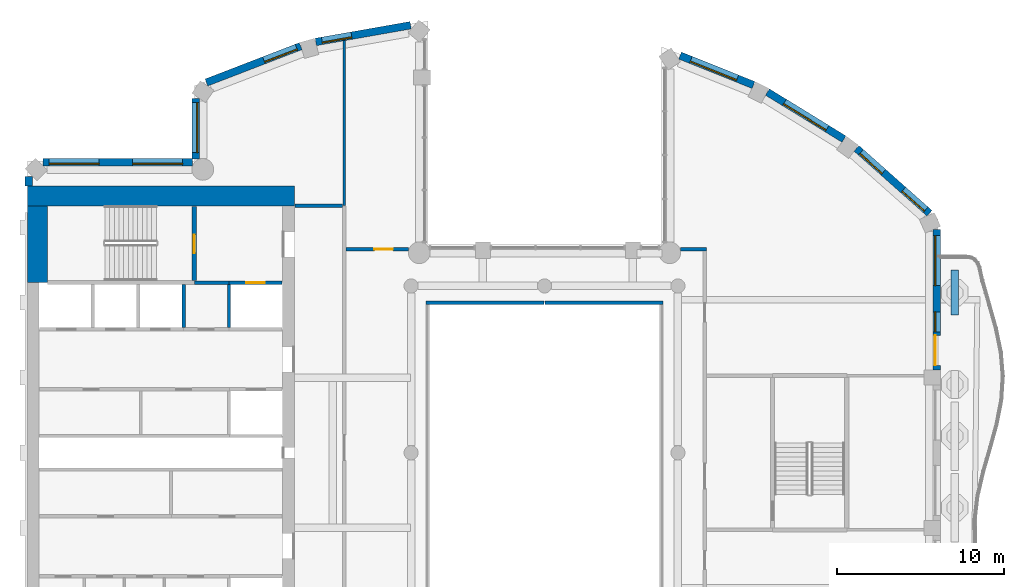
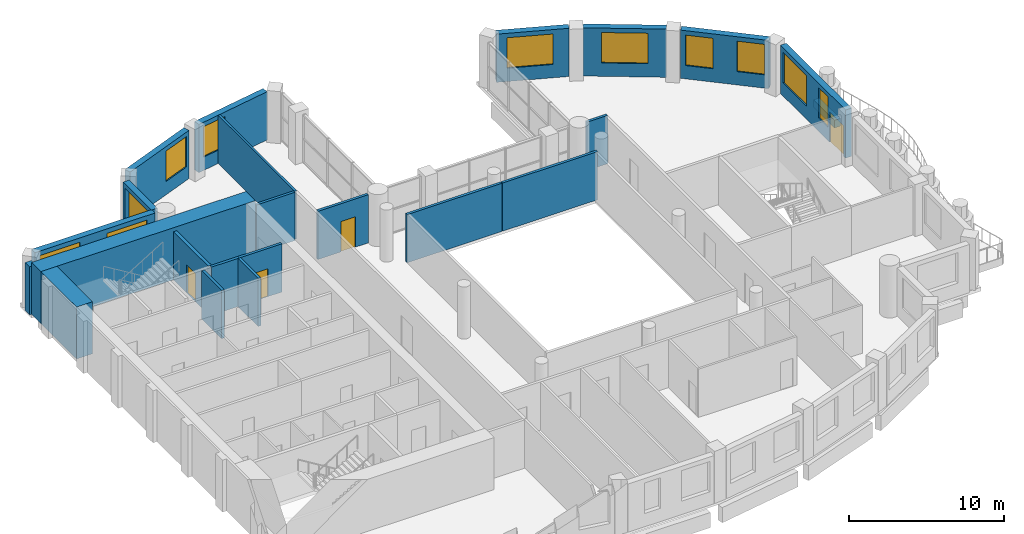
# One storey, part 7 of 14: 23 walls, 11 windows, 4 doors, 15 openings.
"""IFC4 building model written with IfcOpenShell, lengths in metres."""

from ifc_helpers import new_model, si_unit, direction, frame, frame_2d, origin, place, context, subcontext, project, spatial, rectangle, extrude, material, layer, layer_set, type_object, element, fill, save


model = new_model("IFC4")

# Units and contexts
model_context = context("Model", 3, precision=1e-05, world=origin(), true_north=direction((0.0, 1.0)))
body_context = subcontext(model_context, "Body", "Model", "MODEL_VIEW")
ifc_project = project(units=[si_unit("LENGTHUNIT", "METRE"), si_unit("AREAUNIT", "SQUARE_METRE"), si_unit("VOLUMEUNIT", "CUBIC_METRE"), si_unit("PLANEANGLEUNIT", "RADIAN"), si_unit("MASSUNIT", "GRAM", prefix="KILO")], contexts=[model_context])

# Site, building, storey
site_placement = place(None, origin())
site = spatial("IfcSite", under=ifc_project, at=site_placement, CompositionType="ELEMENT")
building_placement = place(site_placement, origin())
building = spatial("IfcBuilding", under=site, at=building_placement, Name="Cypress Arch Tower", CompositionType="ELEMENT")
storey_placement = place(building_placement, frame((0.0, 0.0, 251.60009765625)))
storey = spatial("IfcBuildingStorey", under=building, at=storey_placement, Name="L56", CompositionType="ELEMENT", Elevation=251.60009765625)

# Wall
ifc_material_1 = material(Name="Concrete C40/50, waterproofed", Category="concrete")
ifc_layer_1 = layer(ifc_material_1, 0.449951171875)
ifc_layer_set_1 = layer_set([ifc_layer_1], Name="Balcony planter wall PW450")
wall_type_1 = type_object("IfcWallType", Name="Balcony planter wall PW450", PredefinedType="SOLIDWALL", material=ifc_layer_set_1)
wall_1_placement = place(storey_placement, frame((25.60009765625, 8.25, 0.0), z_axis=(0.0, 0.0, 1.0), x_axis=(0.0, 1.0, 0.0)))
element("IfcWall", 1, at=wall_1_placement, inside=storey, type_object=wall_type_1, Name="Balcony planter wall L56-C17.5", PredefinedType="SOLIDWALL", context=body_context, shape_type="SweptSolid", body=[
    extrude(rectangle(XDim=2.699951171875, YDim=0.449951171875, at=frame_2d((1.35009765625, 0.0))), origin(), (0.0, 0.0, 1.0), 0.599853515625),
])

# Wall, opening, window
ifc_material_2 = material(Name="Brick (red buff blend)", Category="masonry")
ifc_layer_2 = layer(ifc_material_2, 0.449951171875)
ifc_layer_set_2 = layer_set([ifc_layer_2], Name="Brick pier and spandrel wall BW450")
wall_type_2 = type_object("IfcWallType", Name="Brick pier and spandrel wall BW450", PredefinedType="SOLIDWALL", material=ifc_layer_set_2)
wall_2_placement = place(storey_placement, frame((-7.028564453125, 25.63232421875, 0.0), z_axis=(0.0, 0.0, 1.0), x_axis=(-0.984797606634, -0.173705710808, 0.0)))
wall_2 = element("IfcWall", 2, at=wall_2_placement, inside=storey, type_object=wall_type_2, Name="Brick wall L56 C03.0", PredefinedType="SOLIDWALL", context=body_context, shape_type="SweptSolid", body=[
    extrude(rectangle(XDim=5.772216796875, YDim=0.449951171875, at=frame_2d((2.88623046875, 0.0))), origin(), (0.0, 0.0, 1.0), 3.7998046875),
])
opening_1_placement = place(wall_2_placement, frame((3.59326171875, 0.0, 1.050048828125)))
opening_1 = element("IfcOpeningElement", 3, at=opening_1_placement, cuts=wall_2, Name="Opening W180O", PredefinedType="OPENING", context=body_context, shape_type="SweptSolid", body=[
    extrude(rectangle(XDim=1.800048828125, YDim=2.39990234375, at=frame_2d((0.89990234375, 1.199951171875))), frame((0.0, 0.23486328125, 0.0), z_axis=(0.0, -1.0, 0.0), x_axis=(1.0, 0.0, 0.0)), (0.0, 0.0, 1.0), 0.469970703125),
])
ifc_material_3 = material(Name="Anodised aluminium, bronze finish, clear low-emissivity double glazing", Category="aluminium")
window_type_1 = type_object("IfcWindowType", Name="Window Office 1800x2400", PartitioningType="SINGLE_PANEL", PredefinedType="WINDOW", material=ifc_material_3)
window_1_placement = place(opening_1_placement, origin())
window_1 = element("IfcWindow", 4, at=window_1_placement, inside=storey, type_object=window_type_1, Name="Window L56 C03.0.2", OverallHeight=2.39990234375, OverallWidth=1.800048828125, PartitioningType="SINGLE_PANEL", PredefinedType="WINDOW", context=body_context, shape_type="SweptSolid", body=[
    extrude(rectangle(XDim=1.800048828125, YDim=2.39990234375, at=frame_2d((0.89990234375, 1.199951171875))), frame((0.0, 0.135009765625, 0.0), z_axis=(0.0, -1.0, 0.0), x_axis=(1.0, 0.0, 0.0)), (0.0, 0.0, 1.0), 0.06005859375),
])
fill(opening_1, window_1)

wall_3_placement = place(storey_placement, frame((-13.6220703125, 24.376953125, 0.0), z_axis=(0.0, 0.0, 1.0), x_axis=(-0.933129259679, -0.359541075164, 0.0)))
wall_3 = element("IfcWall", 5, at=wall_3_placement, inside=storey, type_object=wall_type_2, Name="Brick wall L56 C04.0", PredefinedType="SOLIDWALL", context=body_context, shape_type="SweptSolid", body=[
    extrude(rectangle(XDim=6.05419921875, YDim=0.449951171875, at=frame_2d((3.027099609375, 0.0))), origin(), (0.0, 0.0, 1.0), 3.7998046875),
])
opening_2_placement = place(wall_3_placement, frame((0.260986328125, 0.0, 1.050048828125)))
opening_2 = element("IfcOpeningElement", 6, at=opening_2_placement, cuts=wall_3, Name="Opening W210O", PredefinedType="OPENING", context=body_context, shape_type="SweptSolid", body=[
    extrude(rectangle(XDim=2.10009765625, YDim=2.39990234375, at=frame_2d((1.050048828125, 1.199951171875))), frame((0.0, 0.23486328125, 0.0), z_axis=(0.0, -1.0, 0.0), x_axis=(1.0, 0.0, 0.0)), (0.0, 0.0, 1.0), 0.469970703125),
])
ifc_material_4 = material(Name="Anodised aluminium, bronze finish, clear low-emissivity double glazing", Category="aluminium")
window_type_2 = type_object("IfcWindowType", Name="Window Office 2100x2400", PartitioningType="SINGLE_PANEL", PredefinedType="WINDOW", material=ifc_material_4)
window_2_placement = place(opening_2_placement, origin())
window_2 = element("IfcWindow", 7, at=window_2_placement, inside=storey, type_object=window_type_2, Name="Window L56 C04.0.1", OverallHeight=2.39990234375, OverallWidth=2.10009765625, PartitioningType="SINGLE_PANEL", PredefinedType="WINDOW", context=body_context, shape_type="SweptSolid", body=[
    extrude(rectangle(XDim=2.10009765625, YDim=2.39990234375, at=frame_2d((1.050048828125, 1.199951171875))), frame((0.0, 0.135009765625, 0.0), z_axis=(0.0, -1.0, 0.0), x_axis=(1.0, 0.0, 0.0)), (0.0, 0.0, 1.0), 0.06005859375),
])
fill(opening_2, window_2)

wall_4_placement = place(storey_placement, frame((-19.925048828125, 21.248291015625, 0.0), z_axis=(0.0, 0.0, 1.0), x_axis=(0.0, -1.0, 0.0)))
wall_4 = element("IfcWall", 8, at=wall_4_placement, inside=storey, type_object=wall_type_2, Name="Brick wall L56 C05.0", PredefinedType="SOLIDWALL", context=body_context, shape_type="SweptSolid", body=[
    extrude(rectangle(XDim=3.646728515625, YDim=0.449951171875, at=frame_2d((1.8232421875, 0.0))), origin(), (0.0, 0.0, 1.0), 3.7998046875),
])
opening_3_placement = place(wall_4_placement, frame((0.251220703125, 0.0, 1.050048828125)))
opening_3 = element("IfcOpeningElement", 9, at=opening_3_placement, cuts=wall_4, Name="Opening W300O", PredefinedType="OPENING", context=body_context, shape_type="SweptSolid", body=[
    extrude(rectangle(XDim=3.0, YDim=2.39990234375, at=frame_2d((1.5, 1.199951171875))), frame((0.0, 0.23486328125, 0.0), z_axis=(0.0, -1.0, 0.0), x_axis=(1.0, 0.0, 0.0)), (0.0, 0.0, 1.0), 0.469970703125),
])
ifc_material_5 = material(Name="Anodised aluminium, bronze finish, clear low-emissivity double glazing", Category="aluminium")
window_type_3 = type_object("IfcWindowType", Name="Window Office 3000x2400", PartitioningType="SINGLE_PANEL", PredefinedType="WINDOW", material=ifc_material_5)
window_3_placement = place(opening_3_placement, origin())
window_3 = element("IfcWindow", 10, at=window_3_placement, inside=storey, type_object=window_type_3, Name="Window L56 C05.0.1", OverallHeight=2.39990234375, OverallWidth=3.0, PartitioningType="SINGLE_PANEL", PredefinedType="WINDOW", context=body_context, shape_type="SweptSolid", body=[
    extrude(rectangle(XDim=3.0, YDim=2.39990234375, at=frame_2d((1.5, 1.199951171875))), frame((0.0, 0.135009765625, 0.0), z_axis=(0.0, -1.0, 0.0), x_axis=(1.0, 0.0, 0.0)), (0.0, 0.0, 1.0), 0.06005859375),
])
fill(opening_3, window_3)

# Wall, openings, windows
wall_5_placement = place(storey_placement, frame((-20.1015625, 17.425048828125, 0.0), z_axis=(0.0, 0.0, 1.0), x_axis=(-1.0, 0.0, 0.0)))
wall_5 = element("IfcWall", 11, at=wall_5_placement, inside=storey, type_object=wall_type_2, Name="Brick wall L56 C06.0", PredefinedType="SOLIDWALL", context=body_context, shape_type="SweptSolid", body=[
    extrude(rectangle(XDim=8.962158203125, YDim=0.449951171875, at=frame_2d((4.48095703125, 0.0))), origin(), (0.0, 0.0, 1.0), 3.7998046875),
])
opening_4_placement = place(wall_5_placement, frame((0.598388671875, 0.0, 1.050048828125)))
opening_4 = element("IfcOpeningElement", 12, at=opening_4_placement, cuts=wall_5, Name="Opening W300O", PredefinedType="OPENING", context=body_context, shape_type="SweptSolid", body=[
    extrude(rectangle(XDim=3.0, YDim=2.39990234375, at=frame_2d((1.5, 1.199951171875))), frame((0.0, 0.23486328125, 0.0), z_axis=(0.0, -1.0, 0.0), x_axis=(1.0, 0.0, 0.0)), (0.0, 0.0, 1.0), 0.469970703125),
])
opening_5_placement = place(wall_5_placement, frame((5.598388671875, 0.0, 1.050048828125)))
opening_5 = element("IfcOpeningElement", 13, at=opening_5_placement, cuts=wall_5, Name="Opening W300O", PredefinedType="OPENING", context=body_context, shape_type="SweptSolid", body=[
    extrude(rectangle(XDim=3.0, YDim=2.39990234375, at=frame_2d((1.5, 1.199951171875))), frame((0.0, 0.23486328125, 0.0), z_axis=(0.0, -1.0, 0.0), x_axis=(1.0, 0.0, 0.0)), (0.0, 0.0, 1.0), 0.469970703125),
])
window_4_placement = place(opening_4_placement, origin())
window_4 = element("IfcWindow", 14, at=window_4_placement, inside=storey, type_object=window_type_3, Name="Window L56 C06.0.1", OverallHeight=2.39990234375, OverallWidth=3.0, PartitioningType="SINGLE_PANEL", PredefinedType="WINDOW", context=body_context, shape_type="SweptSolid", body=[
    extrude(rectangle(XDim=3.0, YDim=2.39990234375, at=frame_2d((1.5, 1.199951171875))), frame((0.0, 0.135009765625, 0.0), z_axis=(0.0, -1.0, 0.0), x_axis=(1.0, 0.0, 0.0)), (0.0, 0.0, 1.0), 0.06005859375),
])
fill(opening_4, window_4)
window_5_placement = place(opening_5_placement, origin())
window_5 = element("IfcWindow", 15, at=window_5_placement, inside=storey, type_object=window_type_3, Name="Window L56 C06.0.2", OverallHeight=2.39990234375, OverallWidth=3.0, PartitioningType="SINGLE_PANEL", PredefinedType="WINDOW", context=body_context, shape_type="SweptSolid", body=[
    extrude(rectangle(XDim=3.0, YDim=2.39990234375, at=frame_2d((1.5, 1.199951171875))), frame((0.0, 0.135009765625, 0.0), z_axis=(0.0, -1.0, 0.0), x_axis=(1.0, 0.0, 0.0)), (0.0, 0.0, 1.0), 0.06005859375),
])
fill(opening_5, window_5)

# Wall
wall_6_placement = place(storey_placement, frame((-29.925048828125, 16.563720703125, 0.0), z_axis=(0.0, 0.0, 1.0), x_axis=(0.0, -1.0, 0.0)))
element("IfcWall", 16, at=wall_6_placement, inside=storey, type_object=wall_type_2, Name="Brick wall L56 C07.0", PredefinedType="SOLIDWALL", context=body_context, shape_type="SweptSolid", body=[
    extrude(rectangle(XDim=0.563720703125, YDim=0.449951171875, at=frame_2d((0.28173828125, 0.0))), origin(), (0.0, 0.0, 1.0), 3.7998046875),
])

# Wall, openings, door, windows
wall_7_placement = place(storey_placement, frame((24.52490234375, 4.949951171875, 0.0), z_axis=(0.0, 0.0, 1.0), x_axis=(0.0, 1.0, 0.0)))
wall_7 = element("IfcWall", 17, at=wall_7_placement, inside=storey, type_object=wall_type_2, Name="Brick wall L56 C17.2", PredefinedType="SOLIDWALL", context=body_context, shape_type="SweptSolid", body=[
    extrude(rectangle(XDim=8.421875, YDim=0.449951171875, at=frame_2d((4.2109375, 0.0))), origin(), (0.0, 0.0, 1.0), 3.7998046875),
])
opening_6_placement = place(wall_7_placement, frame((0.291259765625, 0.0, 0.0)))
opening_6 = element("IfcOpeningElement", 18, at=opening_6_placement, cuts=wall_7, Name="Opening D-L56-C17.2.1", PredefinedType="OPENING", context=body_context, shape_type="SweptSolid", body=[
    extrude(rectangle(XDim=1.800048828125, YDim=2.39990234375, at=frame_2d((0.89990234375, 1.199951171875))), frame((0.0, 0.23486328125, 0.0), z_axis=(0.0, -1.0, 0.0), x_axis=(1.0, 0.0, 0.0)), (0.0, 0.0, 1.0), 0.469970703125),
])
opening_7_placement = place(wall_7_placement, frame((2.291259765625, 0.0, 1.050048828125)))
opening_7 = element("IfcOpeningElement", 19, at=opening_7_placement, cuts=wall_7, Name="Opening W120OD", PredefinedType="OPENING", context=body_context, shape_type="SweptSolid", body=[
    extrude(rectangle(XDim=1.199951171875, YDim=2.39990234375, at=frame_2d((0.60009765625, 1.199951171875))), frame((0.0, 0.23486328125, 0.0), z_axis=(0.0, -1.0, 0.0), x_axis=(1.0, 0.0, 0.0)), (0.0, 0.0, 1.0), 0.469970703125),
])
opening_8_placement = place(wall_7_placement, frame((5.073974609375, 0.0, 1.050048828125)))
opening_8 = element("IfcOpeningElement", 20, at=opening_8_placement, cuts=wall_7, Name="Opening W300OD", PredefinedType="OPENING", context=body_context, shape_type="SweptSolid", body=[
    extrude(rectangle(XDim=3.0, YDim=2.39990234375, at=frame_2d((1.5, 1.199951171875))), frame((0.0, 0.23486328125, 0.0), z_axis=(0.0, -1.0, 0.0), x_axis=(1.0, 0.0, 0.0)), (0.0, 0.0, 1.0), 0.469970703125),
])
ifc_material_6 = material(Name="Anodised aluminium, bronze finish, laminated low-emissivity double glazing, large-missile impact rated", Category="aluminium")
door_type_1 = type_object("IfcDoorType", Name="Balcony sliding door 1800x2400", OperationType="SLIDING_TO_LEFT", PredefinedType="DOOR", material=ifc_material_6)
door_1_placement = place(opening_6_placement, origin())
door_1 = element("IfcDoor", 21, at=door_1_placement, inside=storey, type_object=door_type_1, Name="Balcony door L56 C17.2.1", OperationType="SLIDING_TO_LEFT", OverallHeight=2.39990234375, OverallWidth=1.800048828125, PredefinedType="DOOR", context=body_context, shape_type="SweptSolid", body=[
    extrude(rectangle(XDim=1.800048828125, YDim=2.39990234375, at=frame_2d((0.89990234375, 1.199951171875))), frame((0.0, 0.1298828125, 0.0), z_axis=(0.0, -1.0, 0.0), x_axis=(1.0, 0.0, 0.0)), (0.0, 0.0, 1.0), 0.050048828125),
])
fill(opening_6, door_1)
ifc_material_7 = material(Name="Anodised aluminium, bronze finish, laminated low-emissivity double glazing, large-missile impact rated", Category="aluminium")
window_type_4 = type_object("IfcWindowType", Name="Window Office 1200x2400 debris-rated", PartitioningType="SINGLE_PANEL", PredefinedType="WINDOW", material=ifc_material_7)
window_6_placement = place(opening_7_placement, origin())
window_6 = element("IfcWindow", 22, at=window_6_placement, inside=storey, type_object=window_type_4, Name="Window L56 C17.2.1", OverallHeight=2.39990234375, OverallWidth=1.199951171875, PartitioningType="SINGLE_PANEL", PredefinedType="WINDOW", context=body_context, shape_type="SweptSolid", body=[
    extrude(rectangle(XDim=1.199951171875, YDim=2.39990234375, at=frame_2d((0.60009765625, 1.199951171875))), frame((0.0, 0.135009765625, 0.0), z_axis=(0.0, -1.0, 0.0), x_axis=(1.0, 0.0, 0.0)), (0.0, 0.0, 1.0), 0.06005859375),
])
fill(opening_7, window_6)
ifc_material_8 = material(Name="Anodised aluminium, bronze finish, laminated low-emissivity double glazing, large-missile impact rated", Category="aluminium")
window_type_5 = type_object("IfcWindowType", Name="Window Office 3000x2400 debris-rated", PartitioningType="SINGLE_PANEL", PredefinedType="WINDOW", material=ifc_material_8)
window_7_placement = place(opening_8_placement, origin())
window_7 = element("IfcWindow", 23, at=window_7_placement, inside=storey, type_object=window_type_5, Name="Window L56 C17.2.2", OverallHeight=2.39990234375, OverallWidth=3.0, PartitioningType="SINGLE_PANEL", PredefinedType="WINDOW", context=body_context, shape_type="SweptSolid", body=[
    extrude(rectangle(XDim=3.0, YDim=2.39990234375, at=frame_2d((1.5, 1.199951171875))), frame((0.0, 0.135009765625, 0.0), z_axis=(0.0, -1.0, 0.0), x_axis=(1.0, 0.0, 0.0)), (0.0, 0.0, 1.0), 0.06005859375),
])
fill(opening_8, window_7)

# Wall, openings, windows
wall_8_placement = place(storey_placement, frame((24.08056640625, 14.361083984375, 0.0), z_axis=(0.0, 0.0, 1.0), x_axis=(-0.747570482973, 0.664182484704, 0.0)))
wall_8 = element("IfcWall", 24, at=wall_8_placement, inside=storey, type_object=wall_type_2, Name="Brick wall L56 C18.0", PredefinedType="SOLIDWALL", context=body_context, shape_type="SweptSolid", body=[
    extrude(rectangle(XDim=5.849609375, YDim=0.449951171875, at=frame_2d((2.9248046875, 0.0))), origin(), (0.0, 0.0, 1.0), 3.7998046875),
])
opening_9_placement = place(wall_8_placement, frame((0.305419921875, 0.0, 1.050048828125)))
opening_9 = element("IfcOpeningElement", 25, at=opening_9_placement, cuts=wall_8, Name="Opening W180O", PredefinedType="OPENING", context=body_context, shape_type="SweptSolid", body=[
    extrude(rectangle(XDim=1.800048828125, YDim=2.39990234375, at=frame_2d((0.89990234375, 1.199951171875))), frame((0.0, 0.23486328125, 0.0), z_axis=(0.0, -1.0, 0.0), x_axis=(1.0, 0.0, 0.0)), (0.0, 0.0, 1.0), 0.469970703125),
])
opening_10_placement = place(wall_8_placement, frame((3.702880859375, 0.0, 1.050048828125)))
opening_10 = element("IfcOpeningElement", 26, at=opening_10_placement, cuts=wall_8, Name="Opening W180O", PredefinedType="OPENING", context=body_context, shape_type="SweptSolid", body=[
    extrude(rectangle(XDim=1.800048828125, YDim=2.39990234375, at=frame_2d((0.89990234375, 1.199951171875))), frame((0.0, 0.23486328125, 0.0), z_axis=(0.0, -1.0, 0.0), x_axis=(1.0, 0.0, 0.0)), (0.0, 0.0, 1.0), 0.469970703125),
])
window_8_placement = place(opening_9_placement, origin())
window_8 = element("IfcWindow", 27, at=window_8_placement, inside=storey, type_object=window_type_1, Name="Window L56 C18.0.1", OverallHeight=2.39990234375, OverallWidth=1.800048828125, PartitioningType="SINGLE_PANEL", PredefinedType="WINDOW", context=body_context, shape_type="SweptSolid", body=[
    extrude(rectangle(XDim=1.800048828125, YDim=2.39990234375, at=frame_2d((0.89990234375, 1.199951171875))), frame((0.0, 0.135009765625, 0.0), z_axis=(0.0, -1.0, 0.0), x_axis=(1.0, 0.0, 0.0)), (0.0, 0.0, 1.0), 0.06005859375),
])
fill(opening_9, window_8)
window_9_placement = place(opening_10_placement, origin())
window_9 = element("IfcWindow", 28, at=window_9_placement, inside=storey, type_object=window_type_1, Name="Window L56 C18.0.2", OverallHeight=2.39990234375, OverallWidth=1.800048828125, PartitioningType="SINGLE_PANEL", PredefinedType="WINDOW", context=body_context, shape_type="SweptSolid", body=[
    extrude(rectangle(XDim=1.800048828125, YDim=2.39990234375, at=frame_2d((0.89990234375, 1.199951171875))), frame((0.0, 0.135009765625, 0.0), z_axis=(0.0, -1.0, 0.0), x_axis=(1.0, 0.0, 0.0)), (0.0, 0.0, 1.0), 0.06005859375),
])
fill(opening_10, window_9)

# Wall, opening, window
wall_9_placement = place(storey_placement, frame((18.953369140625, 18.806396484375, 0.0), z_axis=(0.0, 0.0, 1.0), x_axis=(-0.851860664503, 0.523768468193, 0.0)))
wall_9 = element("IfcWall", 29, at=wall_9_placement, inside=storey, type_object=wall_type_2, Name="Brick wall L56 C19.0", PredefinedType="SOLIDWALL", context=body_context, shape_type="SweptSolid", body=[
    extrude(rectangle(XDim=5.3837890625, YDim=0.449951171875, at=frame_2d((2.69189453125, 0.0))), origin(), (0.0, 0.0, 1.0), 3.7998046875),
])
opening_11_placement = place(wall_9_placement, frame((1.19189453125, 0.0, 1.050048828125)))
opening_11 = element("IfcOpeningElement", 30, at=opening_11_placement, cuts=wall_9, Name="Opening W300O", PredefinedType="OPENING", context=body_context, shape_type="SweptSolid", body=[
    extrude(rectangle(XDim=3.0, YDim=2.39990234375, at=frame_2d((1.5, 1.199951171875))), frame((0.0, 0.23486328125, 0.0), z_axis=(0.0, -1.0, 0.0), x_axis=(1.0, 0.0, 0.0)), (0.0, 0.0, 1.0), 0.469970703125),
])
window_10_placement = place(opening_11_placement, origin())
window_10 = element("IfcWindow", 31, at=window_10_placement, inside=storey, type_object=window_type_3, Name="Window L56 C19.0.1", OverallHeight=2.39990234375, OverallWidth=3.0, PartitioningType="SINGLE_PANEL", PredefinedType="WINDOW", context=body_context, shape_type="SweptSolid", body=[
    extrude(rectangle(XDim=3.0, YDim=2.39990234375, at=frame_2d((1.5, 1.199951171875))), frame((0.0, 0.135009765625, 0.0), z_axis=(0.0, -1.0, 0.0), x_axis=(1.0, 0.0, 0.0)), (0.0, 0.0, 1.0), 0.06005859375),
])
fill(opening_11, window_10)

wall_10_placement = place(storey_placement, frame((13.529296875, 22.04833984375, 0.0), z_axis=(0.0, 0.0, 1.0), x_axis=(-0.927957332619, 0.372686448424, 0.0)))
wall_10 = element("IfcWall", 32, at=wall_10_placement, inside=storey, type_object=wall_type_2, Name="Brick wall L56 C20.0", PredefinedType="SOLIDWALL", context=body_context, shape_type="SweptSolid", body=[
    extrude(rectangle(XDim=4.741455078125, YDim=0.449951171875, at=frame_2d((2.37060546875, 0.0))), origin(), (0.0, 0.0, 1.0), 3.7998046875),
])
opening_12_placement = place(wall_10_placement, frame((1.046630859375, 0.0, 1.050048828125)))
opening_12 = element("IfcOpeningElement", 33, at=opening_12_placement, cuts=wall_10, Name="Opening W300O", PredefinedType="OPENING", context=body_context, shape_type="SweptSolid", body=[
    extrude(rectangle(XDim=3.0, YDim=2.39990234375, at=frame_2d((1.5, 1.199951171875))), frame((0.0, 0.23486328125, 0.0), z_axis=(0.0, -1.0, 0.0), x_axis=(1.0, 0.0, 0.0)), (0.0, 0.0, 1.0), 0.469970703125),
])
window_11_placement = place(opening_12_placement, origin())
window_11 = element("IfcWindow", 34, at=window_11_placement, inside=storey, type_object=window_type_3, Name="Window L56 C20.0.1", OverallHeight=2.39990234375, OverallWidth=3.0, PartitioningType="SINGLE_PANEL", PredefinedType="WINDOW", context=body_context, shape_type="SweptSolid", body=[
    extrude(rectangle(XDim=3.0, YDim=2.39990234375, at=frame_2d((1.5, 1.199951171875))), frame((0.0, 0.135009765625, 0.0), z_axis=(0.0, -1.0, 0.0), x_axis=(1.0, 0.0, 0.0)), (0.0, 0.0, 1.0), 0.06005859375),
])
fill(opening_12, window_11)

# Walls
ifc_material_9 = material(Name="Concrete C60/75", Category="concrete")
ifc_layer_3 = layer(ifc_material_9, 1.199951171875)
ifc_layer_set_3 = layer_set([ifc_layer_3], Name="Core wall CW1200 C60/75")
wall_type_3 = type_object("IfcWallType", Name="Core wall CW1200 C60/75", PredefinedType="SHEAR", material=ifc_layer_set_3)
wall_11_placement = place(storey_placement, frame((-30.0, 15.39990234375, 0.0), z_axis=(0.0, 0.0, 1.0), x_axis=(1.0, 0.0, 0.0)))
element("IfcWall", 35, at=wall_11_placement, inside=storey, type_object=wall_type_3, Name="Core wall", PredefinedType="SHEAR", context=body_context, shape_type="SweptSolid", body=[
    extrude(rectangle(XDim=16.0, YDim=1.199951171875, at=frame_2d((8.0, 0.0))), origin(), (0.0, 0.0, 1.0), 4.099853515625),
])
wall_12_placement = place(storey_placement, frame((-29.39990234375, 10.199951171875, 0.0), z_axis=(0.0, 0.0, 1.0), x_axis=(0.0, 1.0, 0.0)))
element("IfcWall", 36, at=wall_12_placement, inside=storey, type_object=wall_type_3, Name="Core wall", PredefinedType="SHEAR", context=body_context, shape_type="SweptSolid", body=[
    extrude(rectangle(XDim=4.60009765625, YDim=1.199951171875, at=frame_2d((2.300048828125, 0.0))), origin(), (0.0, 0.0, 1.0), 4.099853515625),
])
ifc_material_10 = material(Name="Concrete blockwork, plastered, rated", Category="masonry")
ifc_layer_4 = layer(ifc_material_10, 0.199951171875)
ifc_layer_set_4 = layer_set([ifc_layer_4], Name="Corridor wall FW200")
wall_type_4 = type_object("IfcWallType", Name="Corridor wall FW200", PredefinedType="PARTITIONING", material=ifc_layer_set_4)
wall_13_placement = place(storey_placement, frame((-20.0, 10.199951171875, 0.0), z_axis=(0.0, 0.0, 1.0), x_axis=(1.0, 0.0, 0.0)))
element("IfcWall", 37, at=wall_13_placement, inside=storey, type_object=wall_type_4, Name="Corridor wall", PredefinedType="PARTITIONING", context=body_context, shape_type="SweptSolid", body=[
    extrude(rectangle(XDim=2.080078125, YDim=0.199951171875, at=frame_2d((1.0400390625, 0.0))), origin(), (0.0, 0.0, 1.0), 3.7998046875),
])
wall_14_placement = place(storey_placement, frame((-13.969970703125, 14.800048828125, 0.0), z_axis=(0.0, 0.0, 1.0), x_axis=(1.0, 0.0, 0.0)))
element("IfcWall", 38, at=wall_14_placement, inside=storey, type_object=wall_type_4, Name="Corridor wall", PredefinedType="PARTITIONING", context=body_context, shape_type="SweptSolid", body=[
    extrude(rectangle(XDim=2.869873046875, YDim=0.199951171875, at=frame_2d((1.43505859375, 0.0))), origin(), (0.0, 0.0, 1.0), 3.7998046875),
])

# Wall, opening, door
wall_15_placement = place(storey_placement, frame((-10.89990234375, 12.199951171875, 0.0), z_axis=(0.0, 0.0, 1.0), x_axis=(1.0, 0.0, 0.0)))
wall_15 = element("IfcWall", 39, at=wall_15_placement, inside=storey, type_object=wall_type_4, Name="Corridor wall", PredefinedType="PARTITIONING", context=body_context, shape_type="SweptSolid", body=[
    extrude(rectangle(XDim=3.756103515625, YDim=0.199951171875, at=frame_2d((1.8779296875, 0.0))), origin(), (0.0, 0.0, 1.0), 3.7998046875),
])
opening_13_placement = place(wall_15_placement, frame((1.699951171875, 0.0, 0.0)))
opening_13 = element("IfcOpeningElement", 40, at=opening_13_placement, cuts=wall_15, Name="Opening D01", PredefinedType="OPENING", context=body_context, shape_type="SweptSolid", body=[
    extrude(rectangle(XDim=1.10009765625, YDim=2.39990234375, at=frame_2d((0.550048828125, 1.199951171875))), frame((0.0, 0.10986328125, 0.0), z_axis=(0.0, -1.0, 0.0), x_axis=(1.0, 0.0, 0.0)), (0.0, 0.0, 1.0), 0.219970703125),
])
ifc_material_11 = material(Name="Timber flush door, fire resisting, self-closing", Category="wood")
door_type_2 = type_object("IfcDoorType", Name="Unit entrance door D01 1100x2400", OperationType="SINGLE_SWING_LEFT", PredefinedType="DOOR", material=ifc_material_11)
door_2_placement = place(opening_13_placement, origin())
door_2 = element("IfcDoor", 41, at=door_2_placement, inside=storey, type_object=door_type_2, Name="Unit entrance door", OperationType="SINGLE_SWING_RIGHT", OverallHeight=2.39990234375, OverallWidth=1.10009765625, PredefinedType="DOOR", context=body_context, shape_type="SweptSolid", body=[
    extrude(rectangle(XDim=1.10009765625, YDim=2.39990234375, at=frame_2d((0.550048828125, 1.199951171875))), frame((0.0, 0.02490234375, 0.0), z_axis=(0.0, -1.0, 0.0), x_axis=(1.0, 0.0, 0.0)), (0.0, 0.0, 1.0), 0.050048828125),
])
fill(opening_13, door_2)

# Walls
for number, where, z_axis, x_axis, name in (
    (42, (-6.10009765625, 9.0, 0.0), (0.0, 0.0, 1.0), (1.0, 0.0, 0.0), "Corridor wall"),
    (43, (1.02001953125, 9.0, 0.0), (0.0, 0.0, 1.0), (1.0, 0.0, 0.0), "Corridor wall"),
):
    element("IfcWall", number, at=place(storey_placement, frame(where, z_axis=z_axis, x_axis=x_axis)), inside=storey, type_object=wall_type_4, Name=name, PredefinedType="PARTITIONING", context=body_context, shape_type="SweptSolid", body=[
        extrude(rectangle(XDim=7.080078125, YDim=0.199951171875, at=frame_2d((3.5400390625, 0.0))), origin(), (0.0, 0.0, 1.0), 3.7998046875),
    ])
wall_16_placement = place(storey_placement, frame((9.143798828125, 12.199951171875, 0.0), z_axis=(0.0, 0.0, 1.0), x_axis=(1.0, 0.0, 0.0)))
element("IfcWall", 44, at=wall_16_placement, inside=storey, type_object=wall_type_4, Name="Corridor wall", PredefinedType="PARTITIONING", context=body_context, shape_type="SweptSolid", body=[
    extrude(rectangle(XDim=1.55615234375, YDim=0.199951171875, at=frame_2d((0.778076171875, 0.0))), origin(), (0.0, 0.0, 1.0), 3.7998046875),
])
ifc_material_12 = material(Name="Blockwork, plastered both sides", Category="masonry")
ifc_layer_5 = layer(ifc_material_12, 0.14990234375)
ifc_layer_set_5 = layer_set([ifc_layer_5], Name="Partition PW150")
wall_type_5 = type_object("IfcWallType", Name="Partition PW150", PredefinedType="PARTITIONING", material=ifc_layer_set_5)
wall_17_placement = place(storey_placement, frame((-11.0, 14.820068359375, 0.0), z_axis=(0.0, 0.0, 1.0), x_axis=(0.0, 1.0, 0.0)))
element("IfcWall", 45, at=wall_17_placement, inside=storey, type_object=wall_type_5, Name="Partition", PredefinedType="PARTITIONING", context=body_context, shape_type="SweptSolid", body=[
    extrude(rectangle(XDim=9.88330078125, YDim=0.14990234375, at=frame_2d((4.941650390625, 0.0))), origin(), (0.0, 0.0, 1.0), 3.7998046875),
])
ifc_material_13 = material(Name="Concrete C50/60", Category="concrete")
ifc_layer_6 = layer(ifc_material_13, 0.199951171875)
ifc_layer_set_6 = layer_set([ifc_layer_6], Name="Shaft wall SH200")
wall_type_6 = type_object("IfcWallType", Name="Shaft wall SH200", PredefinedType="SHEAR", material=ifc_layer_set_6)
wall_18_placement = place(storey_placement, frame((-20.639892578125, 7.5, 0.0), z_axis=(0.0, 0.0, 1.0), x_axis=(0.0, 1.0, 0.0)))
element("IfcWall", 46, at=wall_18_placement, inside=storey, type_object=wall_type_6, Name="Shaft wall", PredefinedType="SHEAR", context=body_context, shape_type="SweptSolid", body=[
    extrude(rectangle(XDim=2.574951171875, YDim=0.199951171875, at=frame_2d((1.28759765625, 0.0))), origin(), (0.0, 0.0, 1.0), 3.7998046875),
])
wall_19_placement = place(storey_placement, frame((-17.919921875, 7.5, 0.0), z_axis=(0.0, 0.0, 1.0), x_axis=(0.0, 1.0, 0.0)))
element("IfcWall", 47, at=wall_19_placement, inside=storey, type_object=wall_type_6, Name="Shaft wall", PredefinedType="SHEAR", context=body_context, shape_type="SweptSolid", body=[
    extrude(rectangle(XDim=2.60009765625, YDim=0.199951171875, at=frame_2d((1.300048828125, 0.0))), origin(), (0.0, 0.0, 1.0), 3.7998046875),
])

# Wall, opening, door
wall_20_placement = place(storey_placement, frame((-17.919921875, 10.199951171875, 0.0), z_axis=(0.0, 0.0, 1.0), x_axis=(1.0, 0.0, 0.0)))
wall_20 = element("IfcWall", 48, at=wall_20_placement, inside=storey, type_object=wall_type_6, Name="Shaft wall", PredefinedType="SHEAR", context=body_context, shape_type="SweptSolid", body=[
    extrude(rectangle(XDim=3.18994140625, YDim=0.199951171875, at=frame_2d((1.594970703125, 0.0))), origin(), (0.0, 0.0, 1.0), 3.7998046875),
])
opening_14_placement = place(wall_20_placement, frame((1.050048828125, 0.0, 0.0)))
opening_14 = element("IfcOpeningElement", 49, at=opening_14_placement, cuts=wall_20, Name="Opening LD-FL2", PredefinedType="OPENING", context=body_context, shape_type="SweptSolid", body=[
    extrude(rectangle(XDim=1.10009765625, YDim=2.199951171875, at=frame_2d((0.550048828125, 1.10009765625))), frame((0.0, 0.10986328125, 0.0), z_axis=(0.0, -1.0, 0.0), x_axis=(1.0, 0.0, 0.0)), (0.0, 0.0, 1.0), 0.219970703125),
])
ifc_material_14 = material(Name="Stainless steel centre-opening landing door, rated", Category="steel")
door_type_3 = type_object("IfcDoorType", Name="Lift landing door LD 1100x2200", OperationType="DOUBLE_DOOR_SLIDING", PredefinedType="DOOR", material=ifc_material_14)
door_3_placement = place(opening_14_placement, origin())
door_3 = element("IfcDoor", 50, at=door_3_placement, inside=storey, type_object=door_type_3, Name="Lift landing doors FL2", OperationType="DOUBLE_DOOR_SLIDING", OverallHeight=2.199951171875, OverallWidth=1.10009765625, PredefinedType="DOOR", context=body_context, shape_type="SweptSolid", body=[
    extrude(rectangle(XDim=1.10009765625, YDim=2.199951171875, at=frame_2d((0.550048828125, 1.10009765625))), frame((0.0, 0.02490234375, 0.0), z_axis=(0.0, -1.0, 0.0), x_axis=(1.0, 0.0, 0.0)), (0.0, 0.0, 1.0), 0.050048828125),
])
fill(opening_14, door_3)

ifc_material_15 = material(Name="Concrete C50/60", Category="concrete")
ifc_layer_7 = layer(ifc_material_15, 0.25)
ifc_layer_set_7 = layer_set([ifc_layer_7], Name="Stair enclosure wall SW250")
wall_type_7 = type_object("IfcWallType", Name="Stair enclosure wall SW250", PredefinedType="SHEAR", material=ifc_layer_set_7)
wall_21_placement = place(storey_placement, frame((-20.0, 10.324951171875, 0.0), z_axis=(0.0, 0.0, 1.0), x_axis=(0.0, 1.0, 0.0)))
wall_21 = element("IfcWall", 51, at=wall_21_placement, inside=storey, type_object=wall_type_7, Name="Stair enclosure wall", PredefinedType="SHEAR", context=body_context, shape_type="SweptSolid", body=[
    extrude(rectangle(XDim=4.445068359375, YDim=0.25, at=frame_2d((2.22265625, 0.0))), origin(), (0.0, 0.0, 1.0), 3.7998046875),
])
opening_15_placement = place(wall_21_placement, frame((1.64990234375, 0.0, 0.0)))
opening_15 = element("IfcOpeningElement", 52, at=opening_15_placement, cuts=wall_21, Name="Opening D06", PredefinedType="OPENING", context=body_context, shape_type="SweptSolid", body=[
    extrude(rectangle(XDim=1.10009765625, YDim=2.199951171875, at=frame_2d((0.550048828125, 1.10009765625))), frame((0.0, 0.135009765625, 0.0), z_axis=(0.0, -1.0, 0.0), x_axis=(1.0, 0.0, 0.0)), (0.0, 0.0, 1.0), 0.27001953125),
])
ifc_material_16 = material(Name="Steel door, fire resisting, panic bar", Category="steel")
door_type_4 = type_object("IfcDoorType", Name="Stair door D06 1100x2200", OperationType="SINGLE_SWING_LEFT", PredefinedType="DOOR", material=ifc_material_16)
door_4_placement = place(opening_15_placement, origin())
door_4 = element("IfcDoor", 53, at=door_4_placement, inside=storey, type_object=door_type_4, Name="Stair door", OperationType="SINGLE_SWING_LEFT", OverallHeight=2.199951171875, OverallWidth=1.10009765625, PredefinedType="DOOR", context=body_context, shape_type="SweptSolid", body=[
    extrude(rectangle(XDim=1.10009765625, YDim=2.199951171875, at=frame_2d((0.550048828125, 1.10009765625))), frame((0.0, 0.02490234375, 0.0), z_axis=(0.0, -1.0, 0.0), x_axis=(1.0, 0.0, 0.0)), (0.0, 0.0, 1.0), 0.050048828125),
])
fill(opening_15, door_4)

save(model, "model.ifc")
